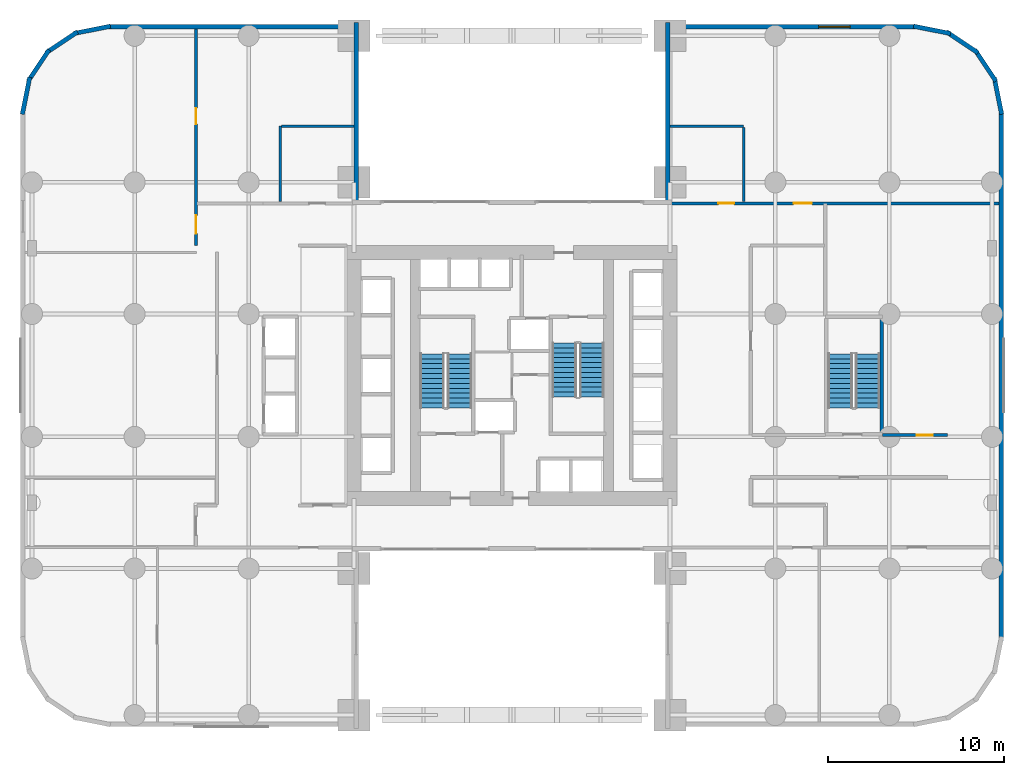
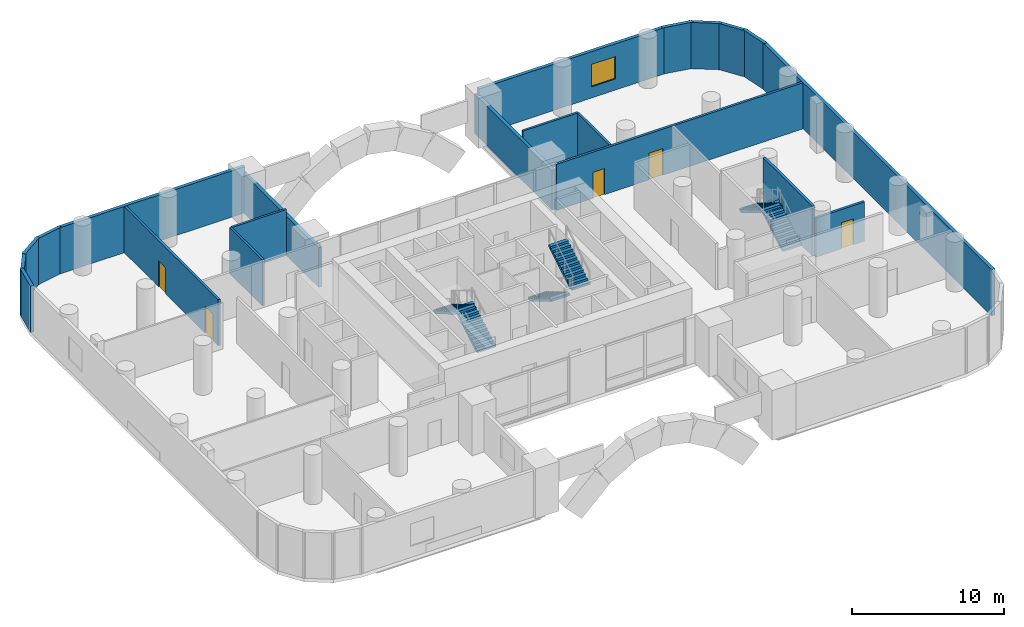
# One storey, part 7 of 9: 21 walls, 6 stair flights, 5 doors, 1 window, 6 openings, 3 elements without a shape of their own.
"""IFC4 building model written with IfcOpenShell, lengths in metres."""

from ifc_helpers import new_model, si_unit, direction, frame, frame_2d, origin, place, context, subcontext, project, spatial, polyline, rectangle, outline, extrude, material, layer, layer_set, type_object, element, fill, aggregate, save


model = new_model("IFC4")

# Units and contexts
model_context = context("Model", 3, precision=1e-05, world=origin(), true_north=direction((0.0, 1.0)))
body_context = subcontext(model_context, "Body", "Model", "MODEL_VIEW")
ifc_project = project(units=[si_unit("LENGTHUNIT", "METRE"), si_unit("AREAUNIT", "SQUARE_METRE"), si_unit("VOLUMEUNIT", "CUBIC_METRE"), si_unit("PLANEANGLEUNIT", "RADIAN"), si_unit("MASSUNIT", "GRAM", prefix="KILO")], contexts=[model_context])

# Site, building, storey
site_placement = place(None, origin())
site = spatial("IfcSite", under=ifc_project, at=site_placement, CompositionType="ELEMENT")
building_placement = place(site_placement, origin())
building = spatial("IfcBuilding", under=site, at=building_placement, Name="Veldorim Arch Residences", CompositionType="ELEMENT")
storey_placement = place(building_placement, frame((0.0, 0.0, 8.0)))
storey = spatial("IfcBuildingStorey", under=building, at=storey_placement, Name="L02", CompositionType="ELEMENT", Elevation=8.0)

# Wall, openings, doors
ifc_material_1 = material(Name="Lightweight Masonry Block & Gypsum", Category="masonry")
ifc_layer_1 = layer(ifc_material_1, 0.179931640625, Name="Compartment & Corridor Fire-Rated Party Wall 180")
ifc_layer_set_1 = layer_set([ifc_layer_1], Name="Lightweight Masonry Block & Gypsum")
wall_type_1 = type_object("IfcWallType", Name="Compartment & Corridor Fire-Rated Party Wall 180", PredefinedType="PARTITIONING", material=ifc_layer_set_1)
wall_1_placement = place(storey_placement, frame((14.0, 31.39990234375, 0.0), z_axis=(0.0, 0.0, 1.0), x_axis=(0.0, 1.0, 0.0)))
wall_1 = element("IfcWall", 1, at=wall_1_placement, inside=storey, type_object=wall_type_1, Name="L02 interior wall WL-POD-L02-005", PredefinedType="PARTITIONING", context=body_context, shape_type="SweptSolid", body=[
    extrude(rectangle(XDim=12.35009765625, YDim=0.179931640625, at=frame_2d((6.175048828125, 0.0))), origin(), (0.0, 0.0, 1.0), 3.715087890625),
])
opening_1_placement = place(wall_1_placement, frame((0.675048828125, 0.0, 0.0)))
opening_1 = element("IfcOpeningElement", 2, at=opening_1_placement, cuts=wall_1, Name="Opening DR-CLN", PredefinedType="OPENING", context=body_context, shape_type="SweptSolid", body=[
    extrude(rectangle(XDim=1.050048828125, YDim=2.14990234375, at=frame_2d((0.52490234375, 1.074951171875))), frame((0.0, 0.099853515625, 0.0), z_axis=(0.0, -1.0, 0.0), x_axis=(1.0, 0.0, 0.0)), (0.0, 0.0, 1.0), 0.199951171875),
])
opening_2_placement = place(wall_1_placement, frame((6.925048828125, 0.0, 0.0)))
opening_2 = element("IfcOpeningElement", 3, at=opening_2_placement, cuts=wall_1, Name="Opening DR-SVC", PredefinedType="OPENING", context=body_context, shape_type="SweptSolid", body=[
    extrude(rectangle(XDim=0.89990234375, YDim=2.10009765625, at=frame_2d((0.449951171875, 1.050048828125))), frame((0.0, 0.099853515625, 0.0), z_axis=(0.0, -1.0, 0.0), x_axis=(1.0, 0.0, 0.0)), (0.0, 0.0, 1.0), 0.199951171875),
])
ifc_material_2 = material(Name="Timber & Vision Panel", Category="wood")
door_type_1 = type_object("IfcDoorType", Name="Polyclinic Wheelchair-Accessible Consultation Door 1050x2150", OperationType="SINGLE_SWING_LEFT", PredefinedType="DOOR", material=ifc_material_2)
door_1_placement = place(opening_1_placement, origin())
door_1 = element("IfcDoor", 4, at=door_1_placement, inside=storey, type_object=door_type_1, Name="L02 interior door DR-POD-L02-005", OperationType="SINGLE_SWING_LEFT", OverallHeight=2.14990234375, OverallWidth=1.050048828125, PredefinedType="DOOR", context=body_context, shape_type="SweptSolid", body=[
    extrude(rectangle(XDim=1.050048828125, YDim=2.14990234375, at=frame_2d((0.52490234375, 1.074951171875))), frame((0.0, 0.02490234375, 0.0), z_axis=(0.0, -1.0, 0.0), x_axis=(1.0, 0.0, 0.0)), (0.0, 0.0, 1.0), 0.050048828125),
])
fill(opening_1, door_1)
ifc_material_3 = material(Name="Fire-Rated Steel", Category="steel")
door_type_2 = type_object("IfcDoorType", Name="Riser, Shelter & Plant Room Rated Steel Door 900x2100", OperationType="SINGLE_SWING_LEFT", PredefinedType="DOOR", material=ifc_material_3)
door_2_placement = place(opening_2_placement, origin())
door_2 = element("IfcDoor", 5, at=door_2_placement, inside=storey, type_object=door_type_2, Name="L02 interior door DR-POD-L02-007", OperationType="SINGLE_SWING_LEFT", OverallHeight=2.10009765625, OverallWidth=0.89990234375, PredefinedType="DOOR", context=body_context, shape_type="SweptSolid", body=[
    extrude(rectangle(XDim=0.89990234375, YDim=2.10009765625, at=frame_2d((0.449951171875, 1.050048828125))), frame((0.0, 0.02490234375, 0.0), z_axis=(0.0, -1.0, 0.0), x_axis=(1.0, 0.0, 0.0)), (0.0, 0.0, 1.0), 0.050048828125),
])
fill(opening_2, door_2)

# Wall, opening, door
wall_2_placement = place(storey_placement, frame((53.10009765625, 20.60009765625, 0.0), z_axis=(0.0, 0.0, 1.0), x_axis=(1.0, 0.0, 0.0)))
wall_2 = element("IfcWall", 6, at=wall_2_placement, inside=storey, type_object=wall_type_1, Name="L02 interior wall WL-POD-L02-016", PredefinedType="PARTITIONING", context=body_context, shape_type="SweptSolid", body=[
    extrude(rectangle(XDim=3.699951171875, YDim=0.179931640625, at=frame_2d((1.85009765625, 0.0))), origin(), (0.0, 0.0, 1.0), 3.16357421875),
])
opening_3_placement = place(wall_2_placement, frame((1.9599609375, 0.0, 0.0)))
opening_3 = element("IfcOpeningElement", 7, at=opening_3_placement, cuts=wall_2, Name="Opening DR-SVC", PredefinedType="OPENING", context=body_context, shape_type="SweptSolid", body=[
    extrude(rectangle(XDim=0.89990234375, YDim=2.10009765625, at=frame_2d((0.449951171875, 1.050048828125))), frame((0.0, 0.099853515625, 0.0), z_axis=(0.0, -1.0, 0.0), x_axis=(1.0, 0.0, 0.0)), (0.0, 0.0, 1.0), 0.199951171875),
])
door_3_placement = place(opening_3_placement, origin())
door_3 = element("IfcDoor", 8, at=door_3_placement, inside=storey, type_object=door_type_2, Name="L02 interior door DR-POD-L02-012", OperationType="SINGLE_SWING_RIGHT", OverallHeight=2.10009765625, OverallWidth=0.89990234375, PredefinedType="DOOR", context=body_context, shape_type="SweptSolid", body=[
    extrude(rectangle(XDim=0.89990234375, YDim=2.10009765625, at=frame_2d((0.449951171875, 1.050048828125))), frame((0.0, 0.02490234375, 0.0), z_axis=(0.0, -1.0, 0.0), x_axis=(1.0, 0.0, 0.0)), (0.0, 0.0, 1.0), 0.050048828125),
])
fill(opening_3, door_3)

# Wall, openings, doors
wall_3_placement = place(storey_placement, frame((40.97998046875, 33.800048828125, 0.0), z_axis=(0.0, 0.0, 1.0), x_axis=(1.0, 0.0, 0.0)))
wall_3 = element("IfcWall", 9, at=wall_3_placement, inside=storey, type_object=wall_type_1, Name="L02 interior wall WL-POD-L02-020", PredefinedType="PARTITIONING", context=body_context, shape_type="SweptSolid", body=[
    extrude(rectangle(XDim=18.77001953125, YDim=0.179931640625, at=frame_2d((9.385009765625, 0.0))), origin(), (0.0, 0.0, 1.0), 3.715087890625),
])
opening_4_placement = place(wall_3_placement, frame((2.780029296875, 0.0, 0.0)))
opening_4 = element("IfcOpeningElement", 10, at=opening_4_placement, cuts=wall_3, Name="Opening DR-WC", PredefinedType="OPENING", context=body_context, shape_type="SweptSolid", body=[
    extrude(rectangle(XDim=0.89990234375, YDim=2.10009765625, at=frame_2d((0.449951171875, 1.050048828125))), frame((0.0, 0.099853515625, 0.0), z_axis=(0.0, -1.0, 0.0), x_axis=(1.0, 0.0, 0.0)), (0.0, 0.0, 1.0), 0.199951171875),
])
opening_5_placement = place(wall_3_placement, frame((7.06005859375, 0.0, 0.0)))
opening_5 = element("IfcOpeningElement", 11, at=opening_5_placement, cuts=wall_3, Name="Opening DR-CLN", PredefinedType="OPENING", context=body_context, shape_type="SweptSolid", body=[
    extrude(rectangle(XDim=1.050048828125, YDim=2.14990234375, at=frame_2d((0.52490234375, 1.074951171875))), frame((0.0, 0.099853515625, 0.0), z_axis=(0.0, -1.0, 0.0), x_axis=(1.0, 0.0, 0.0)), (0.0, 0.0, 1.0), 0.199951171875),
])
ifc_material_4 = material(Name="Laminate Timber", Category="wood")
door_type_3 = type_object("IfcDoorType", Name="Bathroom & Accessible WC Moisture-Sealed Door 900x2100", OperationType="SINGLE_SWING_LEFT", PredefinedType="DOOR", material=ifc_material_4)
door_4_placement = place(opening_4_placement, origin())
door_4 = element("IfcDoor", 12, at=door_4_placement, inside=storey, type_object=door_type_3, Name="L02 interior door DR-POD-L02-014", OperationType="SINGLE_SWING_RIGHT", OverallHeight=2.10009765625, OverallWidth=0.89990234375, PredefinedType="DOOR", context=body_context, shape_type="SweptSolid", body=[
    extrude(rectangle(XDim=0.89990234375, YDim=2.10009765625, at=frame_2d((0.449951171875, 1.050048828125))), frame((0.0, 0.02490234375, 0.0), z_axis=(0.0, -1.0, 0.0), x_axis=(1.0, 0.0, 0.0)), (0.0, 0.0, 1.0), 0.050048828125),
])
fill(opening_4, door_4)
door_5_placement = place(opening_5_placement, origin())
door_5 = element("IfcDoor", 13, at=door_5_placement, inside=storey, type_object=door_type_1, Name="L02 interior door DR-POD-L02-015", OperationType="SINGLE_SWING_LEFT", OverallHeight=2.14990234375, OverallWidth=1.050048828125, PredefinedType="DOOR", context=body_context, shape_type="SweptSolid", body=[
    extrude(rectangle(XDim=1.050048828125, YDim=2.14990234375, at=frame_2d((0.52490234375, 1.074951171875))), frame((0.0, 0.02490234375, 0.0), z_axis=(0.0, -1.0, 0.0), x_axis=(1.0, 0.0, 0.0)), (0.0, 0.0, 1.0), 0.050048828125),
])
fill(opening_5, door_5)

# Walls
ifc_material_5 = material(Name="Concrete C50/60", Category="concrete")
ifc_layer_2 = layer(ifc_material_5, 0.199951171875, Name="Core Stair & Lift Shaft Enclosure Wall 200")
ifc_layer_set_2 = layer_set([ifc_layer_2], Name="Concrete C50/60")
wall_type_2 = type_object("IfcWallType", Name="Core Stair & Lift Shaft Enclosure Wall 200", PredefinedType="SHEAR", material=ifc_layer_set_2)
wall_4_placement = place(storey_placement, frame((53.06005859375, 20.760009765625, 0.0), z_axis=(0.0, 0.0, 1.0), x_axis=(0.0, 1.0, 0.0)))
element("IfcWall", 14, at=wall_4_placement, inside=storey, type_object=wall_type_2, Name="L02 shaft wall WL-SHF-L02-ST3-E", PredefinedType="SHEAR", context=body_context, shape_type="SweptSolid", body=[
    extrude(rectangle(XDim=6.47998046875, YDim=0.199951171875, at=frame_2d((3.239990234375, 0.0))), origin(), (0.0, 0.0, 1.0), 4.0),
])
ifc_material_6 = material(Name="Precast concrete C40/50", Category="concrete")
ifc_layer_3 = layer(ifc_material_6, 0.25, Name="Podium Terracotta Insulated Facade Wall 250")
ifc_layer_set_3 = layer_set([ifc_layer_3], Name="Precast concrete C40/50")
wall_type_3 = type_object("IfcWallType", Name="Podium Terracotta Insulated Facade Wall 250", PredefinedType="SOLIDWALL", material=ifc_layer_set_3)
wall_5_placement = place(storey_placement, frame((54.87744140625, 43.89697265625, 0.0), z_axis=(0.0, 0.0, 1.0), x_axis=(0.980780974951, -0.195111965738, 0.0)))
element("IfcWall", 15, at=wall_5_placement, inside=storey, type_object=wall_type_3, Name="L02 podium terracotta facade wall 00", PredefinedType="SOLIDWALL", context=body_context, shape_type="SweptSolid", body=[
    extrude(rectangle(XDim=2.15087890625, YDim=0.25, at=frame_2d((1.075439453125, 0.0))), origin(), (0.0, 0.0, 1.0), 3.719970703125),
])
for number, where, z_axis, x_axis, name in (
    (16, (56.7607421875, 43.571044921875, 0.0), (0.0, 0.0, 1.0), (0.831473633615, -0.555564214653, 0.0), "L02 podium terracotta facade wall 01"),
    (17, (58.3759765625, 42.54931640625, 0.0), (0.0, 0.0, 1.0), (0.555564214653, -0.831473633615, 0.0), "L02 podium terracotta facade wall 02"),
):
    element("IfcWall", number, at=place(storey_placement, frame(where, z_axis=z_axis, x_axis=x_axis)), inside=storey, type_object=wall_type_3, Name=name, PredefinedType="SOLIDWALL", context=body_context, shape_type="SweptSolid", body=[
        extrude(rectangle(XDim=2.151123046875, YDim=0.25, at=frame_2d((1.07568359375, 0.0))), origin(), (0.0, 0.0, 1.0), 3.719970703125),
    ])
wall_6_placement = place(storey_placement, frame((59.477294921875, 40.987060546875, 0.0), z_axis=(0.0, 0.0, 1.0), x_axis=(0.195111965738, -0.980780974951, 0.0)))
element("IfcWall", 18, at=wall_6_placement, inside=storey, type_object=wall_type_3, Name="L02 podium terracotta facade wall 03", PredefinedType="SOLIDWALL", context=body_context, shape_type="SweptSolid", body=[
    extrude(rectangle(XDim=2.15087890625, YDim=0.25, at=frame_2d((1.075439453125, 0.0))), origin(), (0.0, 0.0, 1.0), 3.719970703125),
])
wall_7_placement = place(storey_placement, frame((59.875, 39.10009765625, 0.0), z_axis=(0.0, 0.0, 1.0), x_axis=(0.0, -1.0, 0.0)))
element("IfcWall", 19, at=wall_7_placement, inside=storey, type_object=wall_type_3, Name="L02 podium terracotta facade wall 04", PredefinedType="SOLIDWALL", context=body_context, shape_type="SweptSolid", body=[
    extrude(rectangle(XDim=30.2001953125, YDim=0.25, at=frame_2d((15.10009765625, 0.0))), origin(), (0.0, 0.0, 1.0), 3.719970703125),
])
wall_8_placement = place(storey_placement, frame((4.10302734375, 38.87744140625, 0.0), z_axis=(0.0, 0.0, 1.0), x_axis=(0.195111965738, 0.980780974951, 0.0)))
element("IfcWall", 20, at=wall_8_placement, inside=storey, type_object=wall_type_3, Name="L02 podium terracotta facade wall 19", PredefinedType="SOLIDWALL", context=body_context, shape_type="SweptSolid", body=[
    extrude(rectangle(XDim=2.15087890625, YDim=0.25, at=frame_2d((1.075439453125, 0.0))), origin(), (0.0, 0.0, 1.0), 3.719970703125),
])
for number, where, z_axis, x_axis, name in (
    (21, (4.428955078125, 40.7607421875, 0.0), (0.0, 0.0, 1.0), (0.555564214653, 0.831473633615, 0.0), "L02 podium terracotta facade wall 20"),
    (22, (5.45068359375, 42.3759765625, 0.0), (0.0, 0.0, 1.0), (0.831473633615, 0.555564214653, 0.0), "L02 podium terracotta facade wall 21"),
):
    element("IfcWall", number, at=place(storey_placement, frame(where, z_axis=z_axis, x_axis=x_axis)), inside=storey, type_object=wall_type_3, Name=name, PredefinedType="SOLIDWALL", context=body_context, shape_type="SweptSolid", body=[
        extrude(rectangle(XDim=2.151123046875, YDim=0.25, at=frame_2d((1.07568359375, 0.0))), origin(), (0.0, 0.0, 1.0), 3.719970703125),
    ])
wall_9_placement = place(storey_placement, frame((7.012939453125, 43.477294921875, 0.0), z_axis=(0.0, 0.0, 1.0), x_axis=(0.980780974951, 0.195111965738, 0.0)))
element("IfcWall", 23, at=wall_9_placement, inside=storey, type_object=wall_type_3, Name="L02 podium terracotta facade wall 22", PredefinedType="SOLIDWALL", context=body_context, shape_type="SweptSolid", body=[
    extrude(rectangle(XDim=2.15087890625, YDim=0.25, at=frame_2d((1.075439453125, 0.0))), origin(), (0.0, 0.0, 1.0), 3.719970703125),
])
wall_10_placement = place(storey_placement, frame((8.89990234375, 43.875, 0.0), z_axis=(0.0, 0.0, 1.0), x_axis=(1.0, 0.0, 0.0)))
element("IfcWall", 24, at=wall_10_placement, inside=storey, type_object=wall_type_3, Name="L02 podium terracotta facade wall 23", PredefinedType="SOLIDWALL", context=body_context, shape_type="SweptSolid", body=[
    extrude(rectangle(XDim=14.2001953125, YDim=0.25, at=frame_2d((7.10009765625, 0.0))), origin(), (0.0, 0.0, 1.0), 3.719970703125),
])
for number, where, z_axis, x_axis, name in (
    (25, (23.125, 33.89990234375, 0.0), (0.0, 0.0, 1.0), (0.0, 1.0, 0.0), "L02 podium terracotta facade wall 24"),
    (26, (40.875, 44.10009765625, 0.0), (0.0, 0.0, 1.0), (0.0, -1.0, 0.0), "L02 podium terracotta facade wall 26"),
):
    element("IfcWall", number, at=place(storey_placement, frame(where, z_axis=z_axis, x_axis=x_axis)), inside=storey, type_object=wall_type_3, Name=name, PredefinedType="SOLIDWALL", context=body_context, shape_type="SweptSolid", body=[
        extrude(rectangle(XDim=10.2001953125, YDim=0.25, at=frame_2d((5.10009765625, 0.0))), origin(), (0.0, 0.0, 1.0), 3.178466796875),
    ])

# Wall, opening, window
wall_11_placement = place(storey_placement, frame((40.89990234375, 43.875, 0.0), z_axis=(0.0, 0.0, 1.0), x_axis=(1.0, 0.0, 0.0)))
wall_11 = element("IfcWall", 27, at=wall_11_placement, inside=storey, type_object=wall_type_3, Name="L02 podium terracotta facade wall 27", PredefinedType="SOLIDWALL", context=body_context, shape_type="SweptSolid", body=[
    extrude(rectangle(XDim=14.2001953125, YDim=0.25, at=frame_2d((7.10009765625, 0.0))), origin(), (0.0, 0.0, 1.0), 3.719970703125),
])
opening_6_placement = place(wall_11_placement, frame((8.56689453125, 0.0, 0.89990234375)))
opening_6 = element("IfcOpeningElement", 28, at=opening_6_placement, cuts=wall_11, Name="Opening WN-01", PredefinedType="OPENING", context=body_context, shape_type="SweptSolid", body=[
    extrude(rectangle(XDim=1.800048828125, YDim=1.800048828125, at=frame_2d((0.89990234375, 0.89990234375))), frame((0.0, 0.135009765625, 0.0), z_axis=(0.0, -1.0, 0.0), x_axis=(1.0, 0.0, 0.0)), (0.0, 0.0, 1.0), 0.27001953125),
])
ifc_material_7 = material(Name="Laminated Low-E Glass", Category="glass")
window_type = type_object("IfcWindowType", Name="Polyclinic Double-Glazed Window 1800x1800", PartitioningType="SINGLE_PANEL", PredefinedType="WINDOW", material=ifc_material_7)
window_placement = place(opening_6_placement, origin())
window = element("IfcWindow", 29, at=window_placement, inside=storey, type_object=window_type, Name="L02 outpatient clinic window 27-2", OverallHeight=1.800048828125, OverallWidth=1.800048828125, PartitioningType="SINGLE_PANEL", PredefinedType="WINDOW", context=body_context, shape_type="SweptSolid", body=[
    extrude(rectangle(XDim=1.800048828125, YDim=1.800048828125, at=frame_2d((0.89990234375, 0.89990234375))), frame((0.0, 0.030029296875, 0.0), z_axis=(0.0, -1.0, 0.0), x_axis=(1.0, 0.0, 0.0)), (0.0, 0.0, 1.0), 0.06005859375),
])
fill(opening_6, window)

# Walls
ifc_material_8 = material(Name="Moisture-Resistant Gypsum & Stud", Category="gypsum")
ifc_layer_4 = layer(ifc_material_8, 0.159912109375, Name="Wet-Area Moisture-Resistant Plumbing Wall 160")
ifc_layer_set_4 = layer_set([ifc_layer_4], Name="Moisture-Resistant Gypsum & Stud")
wall_type_4 = type_object("IfcWallType", Name="Wet-Area Moisture-Resistant Plumbing Wall 160", PredefinedType="PLUMBINGWALL", material=ifc_layer_set_4)
wall_12_placement = place(storey_placement, frame((18.800048828125, 33.89990234375, 0.0), z_axis=(0.0, 0.0, 1.0), x_axis=(0.0, 1.0, 0.0)))
element("IfcWall", 30, at=wall_12_placement, inside=storey, type_object=wall_type_4, Name="L02 interior wall WL-POD-L02-025", PredefinedType="PLUMBINGWALL", context=body_context, shape_type="SweptSolid", body=[
    extrude(rectangle(XDim=4.300048828125, YDim=0.159912109375, at=frame_2d((2.14990234375, 0.0))), origin(), (0.0, 0.0, 1.0), 3.715087890625),
])
wall_13_placement = place(storey_placement, frame((18.860107421875, 38.199951171875, 0.0), z_axis=(0.0, 0.0, 1.0), x_axis=(1.0, 0.0, 0.0)))
element("IfcWall", 31, at=wall_13_placement, inside=storey, type_object=wall_type_4, Name="L02 interior wall WL-POD-L02-026", PredefinedType="PLUMBINGWALL", context=body_context, shape_type="SweptSolid", body=[
    extrude(rectangle(XDim=4.139892578125, YDim=0.159912109375, at=frame_2d((2.06982421875, 0.0))), origin(), (0.0, 0.0, 1.0), 3.715087890625),
])
wall_14_placement = place(storey_placement, frame((41.0, 38.199951171875, 0.0), z_axis=(0.0, 0.0, 1.0), x_axis=(1.0, 0.0, 0.0)))
element("IfcWall", 32, at=wall_14_placement, inside=storey, type_object=wall_type_4, Name="L02 interior wall WL-POD-L02-028", PredefinedType="PLUMBINGWALL", context=body_context, shape_type="SweptSolid", body=[
    extrude(rectangle(XDim=4.199951171875, YDim=0.159912109375, at=frame_2d((2.10009765625, 0.0))), origin(), (0.0, 0.0, 1.0), 3.715087890625),
])
wall_15_placement = place(storey_placement, frame((45.199951171875, 38.139892578125, 0.0), z_axis=(0.0, 0.0, 1.0), x_axis=(0.0, -1.0, 0.0)))
element("IfcWall", 33, at=wall_15_placement, inside=storey, type_object=wall_type_4, Name="L02 interior wall WL-POD-L02-029", PredefinedType="PLUMBINGWALL", context=body_context, shape_type="SweptSolid", body=[
    extrude(rectangle(XDim=4.239990234375, YDim=0.159912109375, at=frame_2d((2.1201171875, 0.0))), origin(), (0.0, 0.0, 1.0), 3.715087890625),
])

# Stair, stair flights
ifc_material_9 = material(Name="Concrete C40/50", Category="concrete")
stair_type = type_object("IfcStairType", Name="Reinforced Concrete Dogleg Exit Staircase", PredefinedType="HALF_TURN_STAIR", material=ifc_material_9)
stair_1_placement = place(storey_placement, origin())
stair_1 = element("IfcStair", 34, at=stair_1_placement, inside=storey, type_object=stair_type, Name="L02 Exit Staircase ST-1", PredefinedType="HALF_TURN_STAIR")
ifc_material_10 = material(Name="Concrete C40/50", Category="concrete")
stair_flight_type = type_object("IfcStairFlightType", Name="Reinforced Concrete Stair Flight 1400", PredefinedType="STRAIGHT", material=ifc_material_10)
stair_flight_1_placement = place(storey_placement, frame((29.010009765625, 22.14990234375, 0.0), z_axis=(0.0, 0.0, 1.0), x_axis=(0.0, 1.0, 0.0)))
stair_flight_1 = element("IfcStairFlight", 35, at=stair_flight_1_placement, type_object=stair_flight_type, Name="ST-1 flight 1", NumberOfRisers=12, NumberOfTreads=11, PredefinedType="STRAIGHT", RiserHeight=0.166666667, TreadLength=0.28, context=body_context, shape_type="SweptSolid", body=[
    extrude(outline(polyline([(0.0, 0.0), (0.0, 0.166748046875), (0.280029296875, 0.166748046875), (0.280029296875, 0.333251953125), (0.56005859375, 0.333251953125), (0.56005859375, 0.5), (0.840087890625, 0.5), (0.840087890625, 0.666748046875), (1.1201171875, 0.666748046875), (1.1201171875, 0.833251953125), (1.39990234375, 0.833251953125), (1.39990234375, 1.0), (1.679931640625, 1.0), (1.679931640625, 1.166748046875), (1.9599609375, 1.166748046875), (1.9599609375, 1.333251953125), (2.239990234375, 1.333251953125), (2.239990234375, 1.5), (2.52001953125, 1.5), (2.52001953125, 1.666748046875), (2.800048828125, 1.666748046875), (2.800048828125, 1.833251953125), (3.080078125, 1.833251953125), (3.080078125, 2.0), (3.080078125, 1.647216796875), (0.312744140625, 0.0), (0.0, 0.0)])), frame((0.0, 0.699951171875, 0.0), z_axis=(0.0, -1.0, 0.0), x_axis=(1.0, 0.0, 0.0)), (0.0, 0.0, 1.0), 1.39990234375),
])
stair_flight_2_placement = place(storey_placement, frame((27.449951171875, 25.22998046875, 2.0), z_axis=(0.0, 0.0, 1.0), x_axis=(0.0, -1.0, 0.0)))
stair_flight_2 = element("IfcStairFlight", 36, at=stair_flight_2_placement, type_object=stair_flight_type, Name="ST-1 flight 2", NumberOfRisers=12, NumberOfTreads=11, PredefinedType="STRAIGHT", RiserHeight=0.166666667, TreadLength=0.28, context=body_context, shape_type="SweptSolid", body=[
    extrude(outline(polyline([(0.0, 0.0), (0.0, 0.166748046875), (0.280029296875, 0.166748046875), (0.280029296875, 0.333251953125), (0.56005859375, 0.333251953125), (0.56005859375, 0.5), (0.840087890625, 0.5), (0.840087890625, 0.666748046875), (1.1201171875, 0.666748046875), (1.1201171875, 0.833251953125), (1.39990234375, 0.833251953125), (1.39990234375, 1.0), (1.679931640625, 1.0), (1.679931640625, 1.166748046875), (1.9599609375, 1.166748046875), (1.9599609375, 1.333251953125), (2.239990234375, 1.333251953125), (2.239990234375, 1.5), (2.52001953125, 1.5), (2.52001953125, 1.666748046875), (2.800048828125, 1.666748046875), (2.800048828125, 1.833251953125), (3.080078125, 1.833251953125), (3.080078125, 2.0), (3.080078125, 1.647216796875), (0.312744140625, 0.0), (0.0, 0.0)])), frame((0.0, 0.699951171875, 0.0), z_axis=(0.0, -1.0, 0.0), x_axis=(1.0, 0.0, 0.0)), (0.0, 0.0, 1.0), 1.39990234375),
])
aggregate(stair_1, [stair_flight_1, stair_flight_2])

stair_2_placement = place(storey_placement, origin())
stair_2 = element("IfcStair", 37, at=stair_2_placement, inside=storey, type_object=stair_type, Name="L02 Exit Staircase ST-2", PredefinedType="HALF_TURN_STAIR")
stair_flight_3_placement = place(storey_placement, frame((34.989990234375, 25.85009765625, 0.0), z_axis=(0.0, 0.0, 1.0), x_axis=(0.0, -1.0, 0.0)))
stair_flight_3 = element("IfcStairFlight", 38, at=stair_flight_3_placement, type_object=stair_flight_type, Name="ST-2 flight 1", NumberOfRisers=12, NumberOfTreads=11, PredefinedType="STRAIGHT", RiserHeight=0.166666667, TreadLength=0.28, context=body_context, shape_type="SweptSolid", body=[
    extrude(outline(polyline([(0.0, 0.0), (0.0, 0.166748046875), (0.280029296875, 0.166748046875), (0.280029296875, 0.333251953125), (0.56005859375, 0.333251953125), (0.56005859375, 0.5), (0.840087890625, 0.5), (0.840087890625, 0.666748046875), (1.1201171875, 0.666748046875), (1.1201171875, 0.833251953125), (1.39990234375, 0.833251953125), (1.39990234375, 1.0), (1.679931640625, 1.0), (1.679931640625, 1.166748046875), (1.9599609375, 1.166748046875), (1.9599609375, 1.333251953125), (2.239990234375, 1.333251953125), (2.239990234375, 1.5), (2.52001953125, 1.5), (2.52001953125, 1.666748046875), (2.800048828125, 1.666748046875), (2.800048828125, 1.833251953125), (3.080078125, 1.833251953125), (3.080078125, 2.0), (3.080078125, 1.647216796875), (0.312744140625, 0.0), (0.0, 0.0)])), frame((0.0, 0.699951171875, 0.0), z_axis=(0.0, -1.0, 0.0), x_axis=(1.0, 0.0, 0.0)), (0.0, 0.0, 1.0), 1.39990234375),
])
stair_flight_4_placement = place(storey_placement, frame((36.550048828125, 22.77001953125, 2.0), z_axis=(0.0, 0.0, 1.0), x_axis=(0.0, 1.0, 0.0)))
stair_flight_4 = element("IfcStairFlight", 39, at=stair_flight_4_placement, type_object=stair_flight_type, Name="ST-2 flight 2", NumberOfRisers=12, NumberOfTreads=11, PredefinedType="STRAIGHT", RiserHeight=0.166666667, TreadLength=0.28, context=body_context, shape_type="SweptSolid", body=[
    extrude(outline(polyline([(0.0, 0.0), (0.0, 0.166748046875), (0.280029296875, 0.166748046875), (0.280029296875, 0.333251953125), (0.56005859375, 0.333251953125), (0.56005859375, 0.5), (0.840087890625, 0.5), (0.840087890625, 0.666748046875), (1.1201171875, 0.666748046875), (1.1201171875, 0.833251953125), (1.39990234375, 0.833251953125), (1.39990234375, 1.0), (1.679931640625, 1.0), (1.679931640625, 1.166748046875), (1.9599609375, 1.166748046875), (1.9599609375, 1.333251953125), (2.239990234375, 1.333251953125), (2.239990234375, 1.5), (2.52001953125, 1.5), (2.52001953125, 1.666748046875), (2.800048828125, 1.666748046875), (2.800048828125, 1.833251953125), (3.080078125, 1.833251953125), (3.080078125, 2.0), (3.080078125, 1.647216796875), (0.312744140625, 0.0), (0.0, 0.0)])), frame((0.0, 0.699951171875, 0.0), z_axis=(0.0, -1.0, 0.0), x_axis=(1.0, 0.0, 0.0)), (0.0, 0.0, 1.0), 1.39990234375),
])
aggregate(stair_2, [stair_flight_3, stair_flight_4])

stair_3_placement = place(storey_placement, origin())
stair_3 = element("IfcStair", 40, at=stair_3_placement, inside=storey, type_object=stair_type, Name="L02 Exit Staircase ST-3", PredefinedType="HALF_TURN_STAIR")
stair_flight_5_placement = place(storey_placement, frame((52.260009765625, 22.14990234375, 0.0), z_axis=(0.0, 0.0, 1.0), x_axis=(0.0, 1.0, 0.0)))
stair_flight_5 = element("IfcStairFlight", 41, at=stair_flight_5_placement, type_object=stair_flight_type, Name="ST-3 flight 1", NumberOfRisers=12, NumberOfTreads=11, PredefinedType="STRAIGHT", RiserHeight=0.166666667, TreadLength=0.28, context=body_context, shape_type="SweptSolid", body=[
    extrude(outline(polyline([(0.0, 0.0), (0.0, 0.166748046875), (0.280029296875, 0.166748046875), (0.280029296875, 0.333251953125), (0.56005859375, 0.333251953125), (0.56005859375, 0.5), (0.840087890625, 0.5), (0.840087890625, 0.666748046875), (1.1201171875, 0.666748046875), (1.1201171875, 0.833251953125), (1.39990234375, 0.833251953125), (1.39990234375, 1.0), (1.679931640625, 1.0), (1.679931640625, 1.166748046875), (1.9599609375, 1.166748046875), (1.9599609375, 1.333251953125), (2.239990234375, 1.333251953125), (2.239990234375, 1.5), (2.52001953125, 1.5), (2.52001953125, 1.666748046875), (2.800048828125, 1.666748046875), (2.800048828125, 1.833251953125), (3.080078125, 1.833251953125), (3.080078125, 2.0), (3.080078125, 1.647216796875), (0.312744140625, 0.0), (0.0, 0.0)])), frame((0.0, 0.699951171875, 0.0), z_axis=(0.0, -1.0, 0.0), x_axis=(1.0, 0.0, 0.0)), (0.0, 0.0, 1.0), 1.39990234375),
])
stair_flight_6_placement = place(storey_placement, frame((50.699951171875, 25.22998046875, 2.0), z_axis=(0.0, 0.0, 1.0), x_axis=(0.0, -1.0, 0.0)))
stair_flight_6 = element("IfcStairFlight", 42, at=stair_flight_6_placement, type_object=stair_flight_type, Name="ST-3 flight 2", NumberOfRisers=12, NumberOfTreads=11, PredefinedType="STRAIGHT", RiserHeight=0.166666667, TreadLength=0.28, context=body_context, shape_type="SweptSolid", body=[
    extrude(outline(polyline([(0.0, 0.0), (0.0, 0.166748046875), (0.280029296875, 0.166748046875), (0.280029296875, 0.333251953125), (0.56005859375, 0.333251953125), (0.56005859375, 0.5), (0.840087890625, 0.5), (0.840087890625, 0.666748046875), (1.1201171875, 0.666748046875), (1.1201171875, 0.833251953125), (1.39990234375, 0.833251953125), (1.39990234375, 1.0), (1.679931640625, 1.0), (1.679931640625, 1.166748046875), (1.9599609375, 1.166748046875), (1.9599609375, 1.333251953125), (2.239990234375, 1.333251953125), (2.239990234375, 1.5), (2.52001953125, 1.5), (2.52001953125, 1.666748046875), (2.800048828125, 1.666748046875), (2.800048828125, 1.833251953125), (3.080078125, 1.833251953125), (3.080078125, 2.0), (3.080078125, 1.647216796875), (0.312744140625, 0.0), (0.0, 0.0)])), frame((0.0, 0.699951171875, 0.0), z_axis=(0.0, -1.0, 0.0), x_axis=(1.0, 0.0, 0.0)), (0.0, 0.0, 1.0), 1.39990234375),
])
aggregate(stair_3, [stair_flight_5, stair_flight_6])

save(model, "model.ifc")
